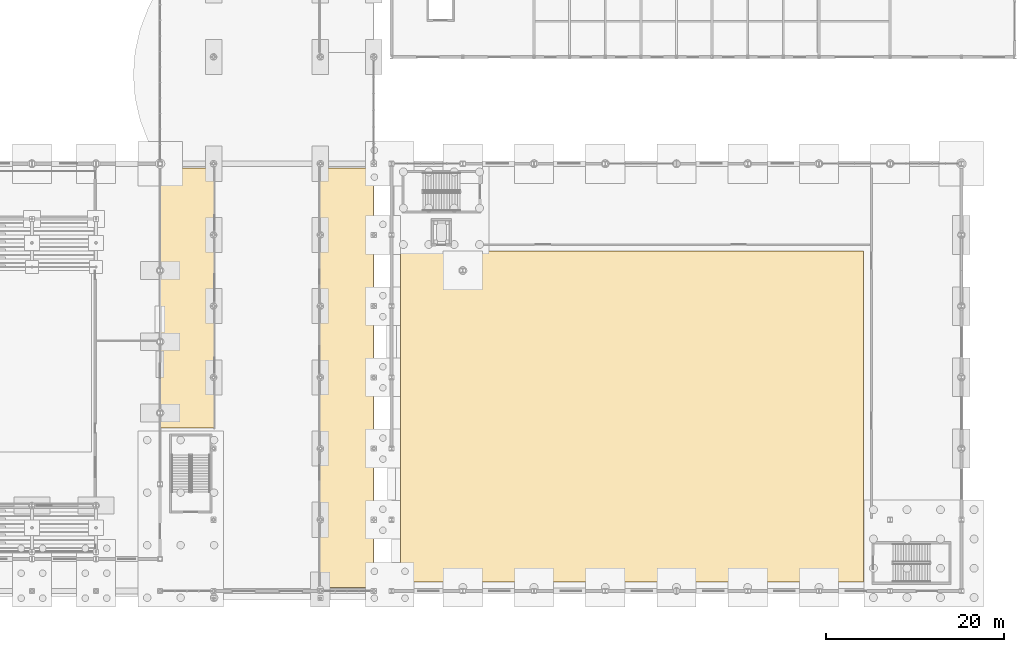
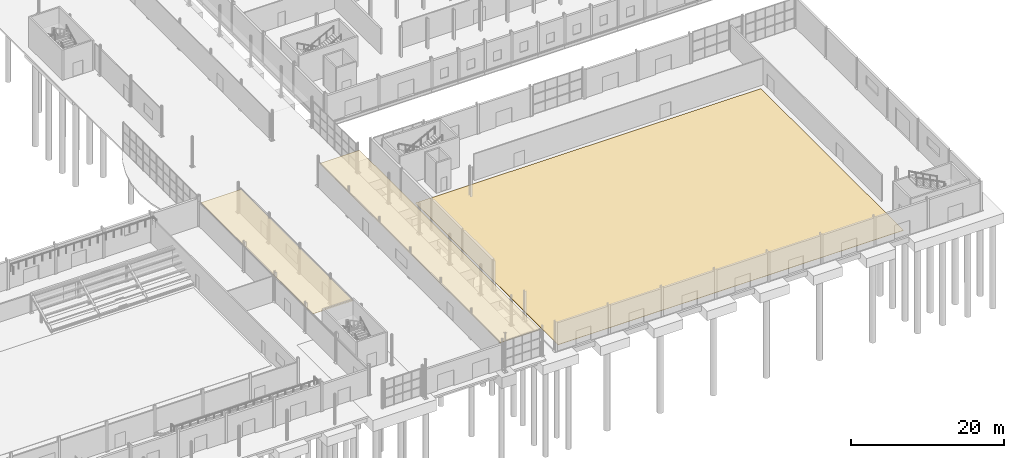
# One storey, part 90 of 101: 3 coverings.
"""IFC4 building model written with IfcOpenShell, lengths in metres."""

from ifc_helpers import new_model, si_unit, derived_unit, direction, frame, origin, place, context, subcontext, project, spatial, polyline, outline, extrude, material, layer, layer_set, type_object, element, save


model = new_model("IFC4")

# Units and contexts
model_context = context("Model", 3, precision=1e-05, world=origin(), true_north=direction((0.0, 1.0)))
body_context = subcontext(model_context, "Body", "Model", "MODEL_VIEW")
ifc_project = project(units=[si_unit("LENGTHUNIT", "METRE"), si_unit("AREAUNIT", "SQUARE_METRE"), si_unit("VOLUMEUNIT", "CUBIC_METRE"), si_unit("PLANEANGLEUNIT", "RADIAN"), si_unit("MASSUNIT", "GRAM", prefix="KILO"), derived_unit("THERMALTRANSMITTANCEUNIT", [(si_unit("POWERUNIT", "WATT"), 1), (si_unit("LENGTHUNIT", "METRE"), -2), (si_unit("THERMODYNAMICTEMPERATUREUNIT", "KELVIN"), -1)])], contexts=[model_context])

# Site, building, storey
site_placement = place(None, origin())
site = spatial("IfcSite", under=ifc_project, at=site_placement, CompositionType="ELEMENT")
building_placement = place(site_placement, origin())
building = spatial("IfcBuilding", under=site, at=building_placement, Name="Keldorne Ridge Multi-Sports Centre", CompositionType="ELEMENT")
storey_placement = place(building_placement, origin())
storey = spatial("IfcBuildingStorey", under=building, at=storey_placement, Name="L00", CompositionType="ELEMENT", Elevation=0.0)

# Coverings
ifc_material_1 = material(Name="Perforated acoustic mineral ceiling")
ifc_layer_1 = layer(ifc_material_1, 0.0400390625)
ifc_layer_set_1 = layer_set([ifc_layer_1])
covering_type_1 = type_object("IfcCoveringType", Name="COV-CL-01", PredefinedType="CEILING", material=ifc_layer_set_1)
covering_1_placement = place(storey_placement, frame((0.0, 0.0, 3.85009765625)))
element("IfcCovering", 1, at=covering_1_placement, inside=storey, type_object=covering_type_1, Name="Main Reception Foyer acoustic ceiling", PredefinedType="CEILING", context=body_context, shape_type="SweptSolid", body=[
    extrude(outline(polyline([(78.050048828125, 24.300048828125), (84.10009765625, 24.300048828125), (84.10009765625, 53.5), (78.050048828125, 53.5), (78.050048828125, 24.300048828125)])), origin(), (0.0, 0.0, 1.0), 0.039794921875),
])
covering_2_placement = place(storey_placement, frame((0.0, 0.0, 3.85009765625)))
element("IfcCovering", 2, at=covering_2_placement, inside=storey, type_object=covering_type_1, Name="Sports Cafe acoustic ceiling", PredefinedType="CEILING", context=body_context, shape_type="SweptSolid", body=[
    extrude(outline(polyline([(95.89990234375, 6.39990234375), (101.949951171875, 6.39990234375), (101.949951171875, 53.5), (95.89990234375, 53.5), (95.89990234375, 6.39990234375)])), origin(), (0.0, 0.0, 1.0), 0.039794921875),
])
ifc_material_2 = material(Name="Sprung beech sports flooring")
ifc_layer_2 = layer(ifc_material_2, 0.044921875)
ifc_layer_set_2 = layer_set([ifc_layer_2])
covering_type_2 = type_object("IfcCoveringType", Name="COV-FL-01", PredefinedType="FLOORING", material=ifc_layer_set_2)
covering_3_placement = place(storey_placement, origin())
element("IfcCovering", 3, at=covering_3_placement, inside=storey, type_object=covering_type_2, Name="Lower Training Hall sprung beech court", PredefinedType="FLOORING", context=body_context, shape_type="SweptSolid", body=[
    extrude(outline(polyline([(105.0, 7.0), (157.0, 7.0), (157.0, 44.199951171875), (105.0, 44.199951171875), (105.0, 7.0)])), origin(), (0.0, 0.0, 1.0), 0.044921875),
])

save(model, "model.ifc")
